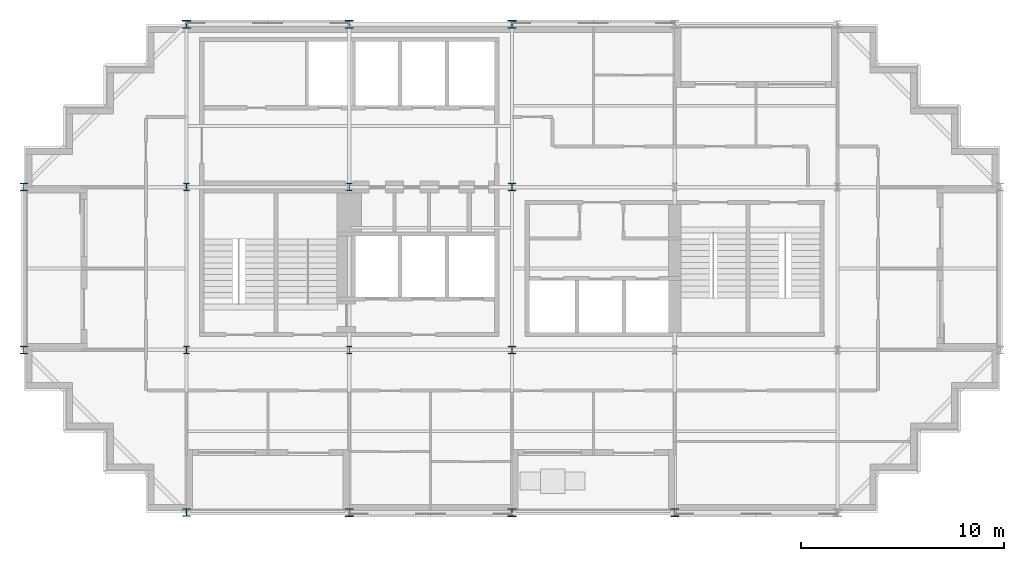
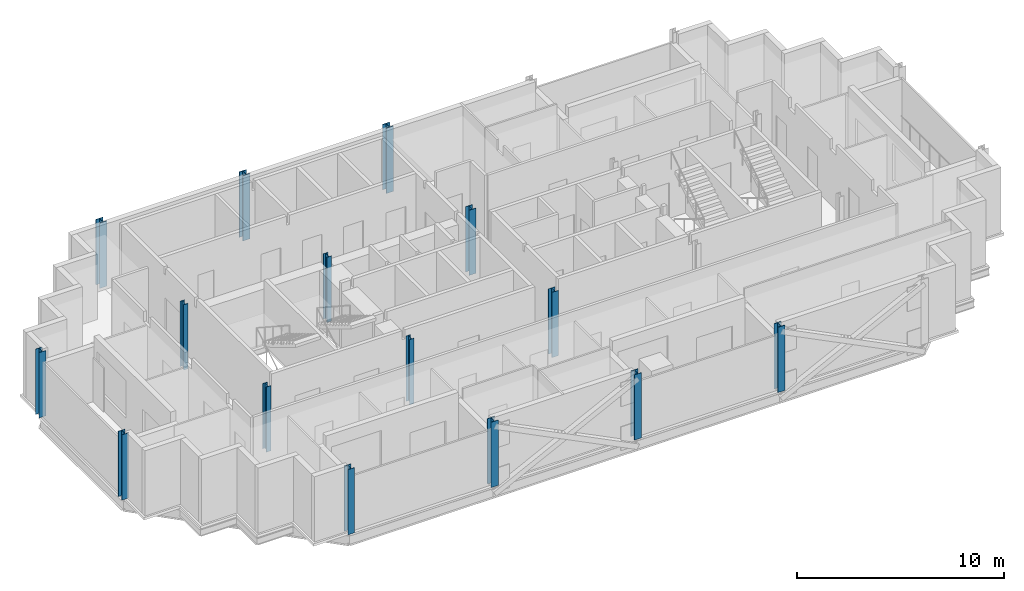
# One storey, part 1 of 10: 15 columns.
"""IFC4 building model written with IfcOpenShell, lengths in metres."""

from ifc_helpers import new_model, si_unit, direction, frame, origin, origin_2d, place, context, subcontext, project, spatial, i_section, extrude, material, material_profile, profile_set, type_object, element, save


model = new_model("IFC4")

# Units and contexts
model_context = context("Model", 3, precision=1e-05, world=origin(), true_north=direction((0.0, 1.0)))
body_context = subcontext(model_context, "Body", "Model", "MODEL_VIEW")
ifc_project = project(units=[si_unit("LENGTHUNIT", "METRE"), si_unit("AREAUNIT", "SQUARE_METRE"), si_unit("VOLUMEUNIT", "CUBIC_METRE"), si_unit("PLANEANGLEUNIT", "RADIAN"), si_unit("MASSUNIT", "GRAM", prefix="KILO")], contexts=[model_context])

# Site, building, storey
site_placement = place(None, origin())
site = spatial("IfcSite", under=ifc_project, at=site_placement, CompositionType="ELEMENT")
building_placement = place(site_placement, origin())
building = spatial("IfcBuilding", under=site, at=building_placement, Name="Immortelle Media Tower", CompositionType="ELEMENT")
storey_placement = place(building_placement, frame((0.0, 0.0, 275.0)))
storey = spatial("IfcBuildingStorey", under=building, at=storey_placement, Name="L60", CompositionType="ELEMENT", Elevation=275.0)

# Columns
ifc_material = material(Name="Steel ASTM A992 Gr 50", Category="steel")
ifc_material_profile_1 = material_profile(ifc_material, i_section(OverallWidth=0.373046875, OverallDepth=0.367919921875, WebThickness=0.014892578125, FlangeThickness=0.02392578125, at=origin_2d()), Name="W14x120")
ifc_profile_set_1 = profile_set([ifc_material_profile_1], Name="Steel ASTM A992 Gr 50")
column_type_1 = type_object("IfcColumnType", Name="W14x120 column", PredefinedType="COLUMN", material=ifc_profile_set_1)
for number, where, z_axis, x_axis, name in (
    (1, (0.0, 8.0, 0.0), (0.0, 0.0, 1.0), (1.0, 0.0, 0.0), "Column 1/B"),
    (2, (0.0, 16.0, 0.0), (0.0, 0.0, 1.0), (1.0, 0.0, 0.0), "Column 1/C"),
    (3, (8.0, 0.0, 0.0), (0.0, 0.0, 1.0), (1.0, 0.0, 0.0), "Column 2/A"),
):
    element("IfcColumn", number, at=place(storey_placement, frame(where, z_axis=z_axis, x_axis=x_axis)), inside=storey, type_object=column_type_1, Name=name, PredefinedType="COLUMN", context=body_context, shape_type="SweptSolid", body=[
        extrude(i_section(OverallWidth=0.373046875, OverallDepth=0.367919921875, WebThickness=0.014892578125, FlangeThickness=0.02392578125, at=origin_2d()), origin(), (0.0, 0.0, 1.0), 3.85009765625),
    ])
ifc_material_profile_2 = material_profile(ifc_material, i_section(OverallWidth=0.39892578125, OverallDepth=0.385986328125, WebThickness=0.02099609375, FlangeThickness=0.032958984375, at=origin_2d()), Name="W14x176")
ifc_profile_set_2 = profile_set([ifc_material_profile_2], Name="Steel ASTM A992 Gr 50")
column_type_2 = type_object("IfcColumnType", Name="W14x176 column", PredefinedType="COLUMN", material=ifc_profile_set_2)
for number, where, z_axis, x_axis, name in (
    (4, (8.0, 24.0, 0.0), (0.0, 0.0, 1.0), (1.0, 0.0, 0.0), "Column 2/D"),
    (5, (16.0, 0.0, 0.0), (0.0, 0.0, 1.0), (1.0, 0.0, 0.0), "Column 3/A"),
    (6, (16.0, 24.0, 0.0), (0.0, 0.0, 1.0), (1.0, 0.0, 0.0), "Column 3/D"),
    (7, (24.0, 0.0, 0.0), (0.0, 0.0, 1.0), (1.0, 0.0, 0.0), "Column 4/A"),
    (8, (24.0, 24.0, 0.0), (0.0, 0.0, 1.0), (1.0, 0.0, 0.0), "Column 4/D"),
    (9, (32.0, 0.0, 0.0), (0.0, 0.0, 1.0), (1.0, 0.0, 0.0), "Column 5/A"),
):
    element("IfcColumn", number, at=place(storey_placement, frame(where, z_axis=z_axis, x_axis=x_axis)), inside=storey, type_object=column_type_2, Name=name, PredefinedType="COLUMN", context=body_context, shape_type="SweptSolid", body=[
        extrude(i_section(OverallWidth=0.39892578125, OverallDepth=0.385986328125, WebThickness=0.02099609375, FlangeThickness=0.032958984375, at=origin_2d()), origin(), (0.0, 0.0, 1.0), 3.85009765625),
    ])
ifc_material_profile_3 = material_profile(ifc_material, i_section(OverallWidth=0.257080078125, OverallDepth=0.363037109375, WebThickness=0.012939453125, FlangeThickness=0.02197265625, at=origin_2d()), Name="W14x82")
ifc_profile_set_3 = profile_set([ifc_material_profile_3], Name="Steel ASTM A992 Gr 50")
column_type_3 = type_object("IfcColumnType", Name="W14x82 column", PredefinedType="COLUMN", material=ifc_profile_set_3)
for number, where, z_axis, x_axis, name in (
    (10, (8.0, 8.0, 0.0), (0.0, 0.0, 1.0), (1.0, 0.0, 0.0), "Column 2/B"),
    (11, (8.0, 16.0, 0.0), (0.0, 0.0, 1.0), (1.0, 0.0, 0.0), "Column 2/C"),
    (12, (16.0, 8.0, 0.0), (0.0, 0.0, 1.0), (1.0, 0.0, 0.0), "Column 3/B"),
    (13, (16.0, 16.0, 0.0), (0.0, 0.0, 1.0), (1.0, 0.0, 0.0), "Column 3/C"),
):
    element("IfcColumn", number, at=place(storey_placement, frame(where, z_axis=z_axis, x_axis=x_axis)), inside=storey, type_object=column_type_3, Name=name, PredefinedType="COLUMN", context=body_context, shape_type="SweptSolid", body=[
        extrude(i_section(OverallWidth=0.257080078125, OverallDepth=0.363037109375, WebThickness=0.012939453125, FlangeThickness=0.02197265625, at=origin_2d()), origin(), (0.0, 0.0, 1.0), 3.85009765625),
    ])
ifc_material_profile_4 = material_profile(ifc_material, i_section(OverallWidth=0.37109375, OverallDepth=0.361083984375, WebThickness=0.011962890625, FlangeThickness=0.02001953125, at=origin_2d()), Name="W14x99")
ifc_profile_set_4 = profile_set([ifc_material_profile_4], Name="Steel ASTM A992 Gr 50")
column_type_4 = type_object("IfcColumnType", Name="W14x99 column", PredefinedType="COLUMN", material=ifc_profile_set_4)
for number, where, z_axis, x_axis, name in (
    (14, (24.0, 8.0, 0.0), (0.0, 0.0, 1.0), (1.0, 0.0, 0.0), "Column 4/B"),
    (15, (24.0, 16.0, 0.0), (0.0, 0.0, 1.0), (1.0, 0.0, 0.0), "Column 4/C"),
):
    element("IfcColumn", number, at=place(storey_placement, frame(where, z_axis=z_axis, x_axis=x_axis)), inside=storey, type_object=column_type_4, Name=name, PredefinedType="COLUMN", context=body_context, shape_type="SweptSolid", body=[
        extrude(i_section(OverallWidth=0.37109375, OverallDepth=0.361083984375, WebThickness=0.011962890625, FlangeThickness=0.02001953125, at=origin_2d()), origin(), (0.0, 0.0, 1.0), 3.85009765625),
    ])

save(model, "model.ifc")
